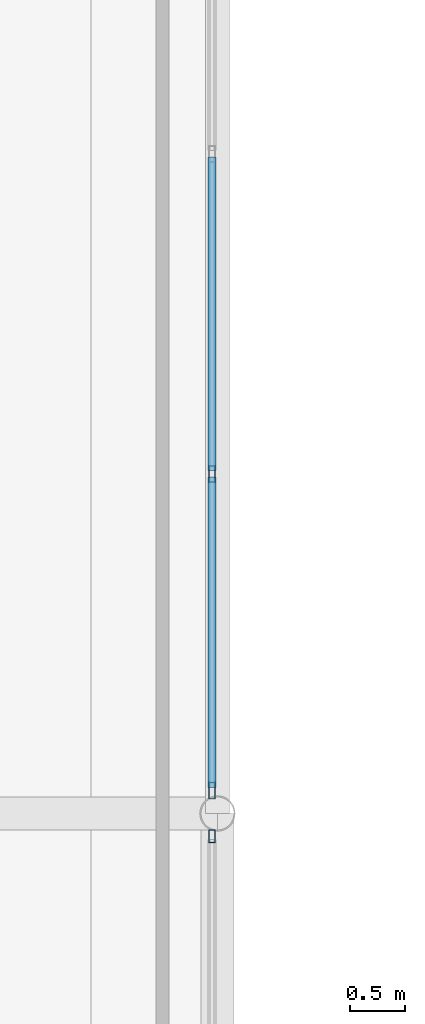
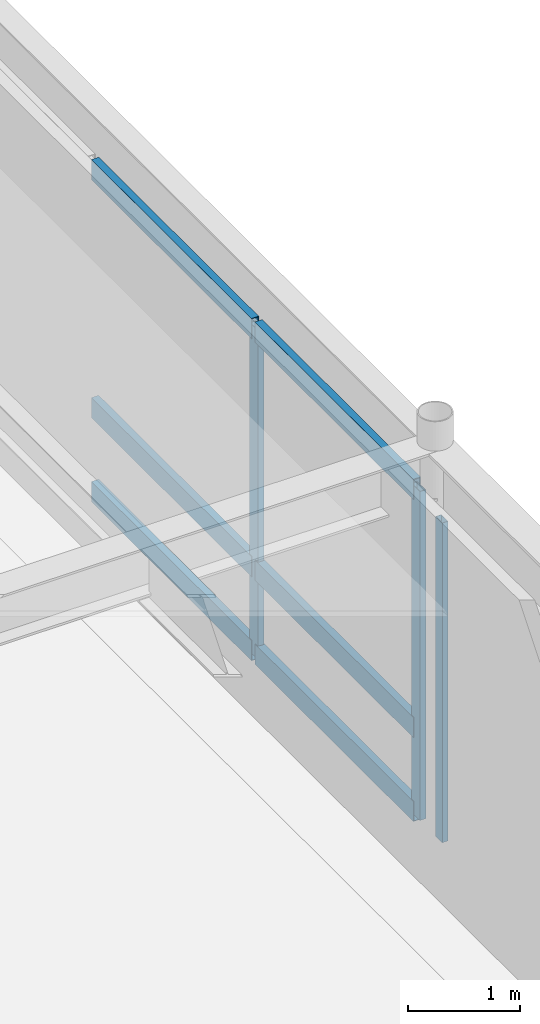
# One storey, part 80 of 127: 9 members, 2 elements without a shape of their own.
"""IFC4 building model written with IfcOpenShell, lengths in metres."""

from ifc_helpers import new_model, si_unit, direction, frame, origin, origin_2d, place, context, subcontext, project, spatial, hollow_rectangle, extrude, material, layer, layer_set, material_profile, profile_set, type_object, element, aggregate, save


model = new_model("IFC4")

# Units and contexts
model_context = context("Model", 3, precision=1e-05, world=origin(), true_north=direction((0.0, 1.0)))
body_context = subcontext(model_context, "Body", "Model", "MODEL_VIEW")
ifc_project = project(units=[si_unit("LENGTHUNIT", "METRE"), si_unit("AREAUNIT", "SQUARE_METRE"), si_unit("VOLUMEUNIT", "CUBIC_METRE"), si_unit("PLANEANGLEUNIT", "RADIAN"), si_unit("MASSUNIT", "GRAM", prefix="KILO")], contexts=[model_context])

# Site, building, storey
site_placement = place(None, origin())
site = spatial("IfcSite", under=ifc_project, at=site_placement, CompositionType="ELEMENT")
building_placement = place(site_placement, origin())
building = spatial("IfcBuilding", under=site, at=building_placement, Name="Montelvaro Courts of Justice", CompositionType="ELEMENT")
storey_placement = place(building_placement, frame((0.0, 0.0, 5.39990234375)))
storey = spatial("IfcBuildingStorey", under=building, at=storey_placement, Name="L01", CompositionType="ELEMENT", Elevation=5.39990234375)

# Curtain wall, member
ifc_material = material(Name="Anodised aluminium EN AW-6063", Category="aluminium")
ifc_layer_1 = layer(ifc_material, 0.159912109375)
ifc_layer_set_1 = layer_set([ifc_layer_1], Name="Anodised aluminium EN AW-6063")
curtain_wall_type_1 = type_object("IfcCurtainWallType", Name="CurtainWall_15_1765x418", PredefinedType="USERDEFINED", material=ifc_layer_set_1)
curtain_wall_1_placement = place(storey_placement, origin())
curtain_wall_1 = element("IfcCurtainWall", 1, at=curtain_wall_1_placement, inside=storey, type_object=curtain_wall_type_1, Name="Curtain Wall CW-15 (L01)", ObjectType="CURTAIN WALL", PredefinedType="USERDEFINED")
ifc_material_profile_1 = material_profile(ifc_material, hollow_rectangle(XDim=0.06005859375, YDim=0.1201171875, WallThickness=0.00341796875, at=origin_2d()), Name="ALU-M 60x120")
ifc_profile_set_1 = profile_set([ifc_material_profile_1], Name="Anodised aluminium EN AW-6063")
member_type_1 = type_object("IfcMemberType", Name="CurtainWall_Mullion_60x120", PredefinedType="MULLION", material=ifc_profile_set_1)
member_1_placement = place(storey_placement, frame((80.949951171875, 95.79296875, 0.0), z_axis=(0.0, 0.0, 1.0), x_axis=(-1.0, 0.0, 0.0)))
member_1 = element("IfcMember", 2, at=member_1_placement, type_object=member_type_1, Name="CW-15 mullion 8", PredefinedType="MULLION", context=body_context, shape_type="SweptSolid", body=[
    extrude(hollow_rectangle(XDim=0.06005859375, YDim=0.1201171875, WallThickness=0.00341796875, at=origin_2d()), origin(), (0.0, 0.0, 1.0), 3.47509765625),
])
aggregate(curtain_wall_1, [member_1])

# Curtain wall, members
ifc_layer_2 = layer(ifc_material, 0.159912109375)
ifc_layer_set_2 = layer_set([ifc_layer_2], Name="Anodised aluminium EN AW-6063")
curtain_wall_type_2 = type_object("IfcCurtainWallType", Name="CurtainWall_16_1165x418", PredefinedType="USERDEFINED", material=ifc_layer_set_2)
curtain_wall_2_placement = place(storey_placement, origin())
curtain_wall_2 = element("IfcCurtainWall", 3, at=curtain_wall_2_placement, inside=storey, type_object=curtain_wall_type_2, Name="Curtain Wall CW-16 (L01)", ObjectType="CURTAIN WALL", PredefinedType="USERDEFINED")
ifc_material_profile_2 = material_profile(ifc_material, hollow_rectangle(XDim=0.06005859375, YDim=0.14990234375, WallThickness=0.00390625, at=origin_2d()), Name="ALU-M 60x150")
ifc_profile_set_2 = profile_set([ifc_material_profile_2], Name="Anodised aluminium EN AW-6063")
member_type_2 = type_object("IfcMemberType", Name="CurtainWall_Mullion_60x150", PredefinedType="MULLION", material=ifc_profile_set_2)
member_2_placement = place(storey_placement, frame((80.949951171875, 96.20703125, 0.0), z_axis=(0.0, 0.0, 1.0), x_axis=(-1.0, 0.0, 0.0)))
member_2 = element("IfcMember", 4, at=member_2_placement, type_object=member_type_2, Name="CW-16 mullion 1", PredefinedType="MULLION", context=body_context, shape_type="SweptSolid", body=[
    extrude(hollow_rectangle(XDim=0.06005859375, YDim=0.14990234375, WallThickness=0.00390625, at=origin_2d()), origin(), (0.0, 0.0, 1.0), 3.5751953125),
])
member_3_placement = place(storey_placement, frame((80.949951171875, 99.08837890625, 0.0), z_axis=(0.0, 0.0, 1.0), x_axis=(-1.0, 0.0, 0.0)))
member_3 = element("IfcMember", 5, at=member_3_placement, type_object=member_type_2, Name="CW-16 mullion 2", PredefinedType="MULLION", context=body_context, shape_type="SweptSolid", body=[
    extrude(hollow_rectangle(XDim=0.06005859375, YDim=0.14990234375, WallThickness=0.00390625, at=origin_2d()), origin(), (0.0, 0.0, 1.0), 3.5751953125),
])
ifc_material_profile_3 = material_profile(ifc_material, hollow_rectangle(XDim=0.074951171875, YDim=0.219970703125, WallThickness=0.005615234375, at=origin_2d()), Name="ALU-T 75x220")
ifc_profile_set_3 = profile_set([ifc_material_profile_3], Name="Anodised aluminium EN AW-6063")
member_type_3 = type_object("IfcMemberType", Name="CurtainWall_Transom_75x220", PredefinedType="USERDEFINED", material=ifc_profile_set_3)
member_4_placement = place(storey_placement, frame((80.949951171875, 96.237060546875, 0.03759765625), z_axis=(0.0, 1.0, 0.0), x_axis=(-1.0, 0.0, 0.0)))
member_4 = element("IfcMember", 6, at=member_4_placement, type_object=member_type_3, Name="CW-16 transom 1.1", ObjectType="TRANSOM", PredefinedType="USERDEFINED", context=body_context, shape_type="SweptSolid", body=[
    extrude(hollow_rectangle(XDim=0.074951171875, YDim=0.219970703125, WallThickness=0.005615234375, at=origin_2d()), origin(), (0.0, 0.0, 1.0), 2.821533203125),
])
member_5_placement = place(storey_placement, frame((80.949951171875, 96.237060546875, 0.9501953125), z_axis=(0.0, 1.0, 0.0), x_axis=(-1.0, 0.0, 0.0)))
member_5 = element("IfcMember", 7, at=member_5_placement, type_object=member_type_3, Name="CW-16 transom 1.2", ObjectType="TRANSOM", PredefinedType="USERDEFINED", context=body_context, shape_type="SweptSolid", body=[
    extrude(hollow_rectangle(XDim=0.074951171875, YDim=0.219970703125, WallThickness=0.005615234375, at=origin_2d()), origin(), (0.0, 0.0, 1.0), 2.821533203125),
])
member_6_placement = place(storey_placement, frame((80.949951171875, 96.237060546875, 3.53759765625), z_axis=(0.0, 1.0, 0.0), x_axis=(-1.0, 0.0, 0.0)))
member_6 = element("IfcMember", 8, at=member_6_placement, type_object=member_type_3, Name="CW-16 transom 1.3", ObjectType="TRANSOM", PredefinedType="USERDEFINED", context=body_context, shape_type="SweptSolid", body=[
    extrude(hollow_rectangle(XDim=0.074951171875, YDim=0.219970703125, WallThickness=0.005615234375, at=origin_2d()), origin(), (0.0, 0.0, 1.0), 2.821533203125),
])
member_7_placement = place(storey_placement, frame((80.949951171875, 99.118408203125, 0.03759765625), z_axis=(0.0, 1.0, 0.0), x_axis=(-1.0, 0.0, 0.0)))
member_7 = element("IfcMember", 9, at=member_7_placement, type_object=member_type_3, Name="CW-16 transom 2.1", ObjectType="TRANSOM", PredefinedType="USERDEFINED", context=body_context, shape_type="SweptSolid", body=[
    extrude(hollow_rectangle(XDim=0.074951171875, YDim=0.219970703125, WallThickness=0.005615234375, at=origin_2d()), origin(), (0.0, 0.0, 1.0), 2.8515625),
])
member_8_placement = place(storey_placement, frame((80.949951171875, 99.118408203125, 0.9501953125), z_axis=(0.0, 1.0, 0.0), x_axis=(-1.0, 0.0, 0.0)))
member_8 = element("IfcMember", 10, at=member_8_placement, type_object=member_type_3, Name="CW-16 transom 2.2", ObjectType="TRANSOM", PredefinedType="USERDEFINED", context=body_context, shape_type="SweptSolid", body=[
    extrude(hollow_rectangle(XDim=0.074951171875, YDim=0.219970703125, WallThickness=0.005615234375, at=origin_2d()), origin(), (0.0, 0.0, 1.0), 2.8515625),
])
member_9_placement = place(storey_placement, frame((80.949951171875, 99.118408203125, 3.53759765625), z_axis=(0.0, 1.0, 0.0), x_axis=(-1.0, 0.0, 0.0)))
member_9 = element("IfcMember", 11, at=member_9_placement, type_object=member_type_3, Name="CW-16 transom 2.3", ObjectType="TRANSOM", PredefinedType="USERDEFINED", context=body_context, shape_type="SweptSolid", body=[
    extrude(hollow_rectangle(XDim=0.074951171875, YDim=0.219970703125, WallThickness=0.005615234375, at=origin_2d()), origin(), (0.0, 0.0, 1.0), 2.8515625),
])
aggregate(curtain_wall_2, [member_2, member_3, member_4, member_5, member_6, member_7, member_8, member_9])

save(model, "model.ifc")
